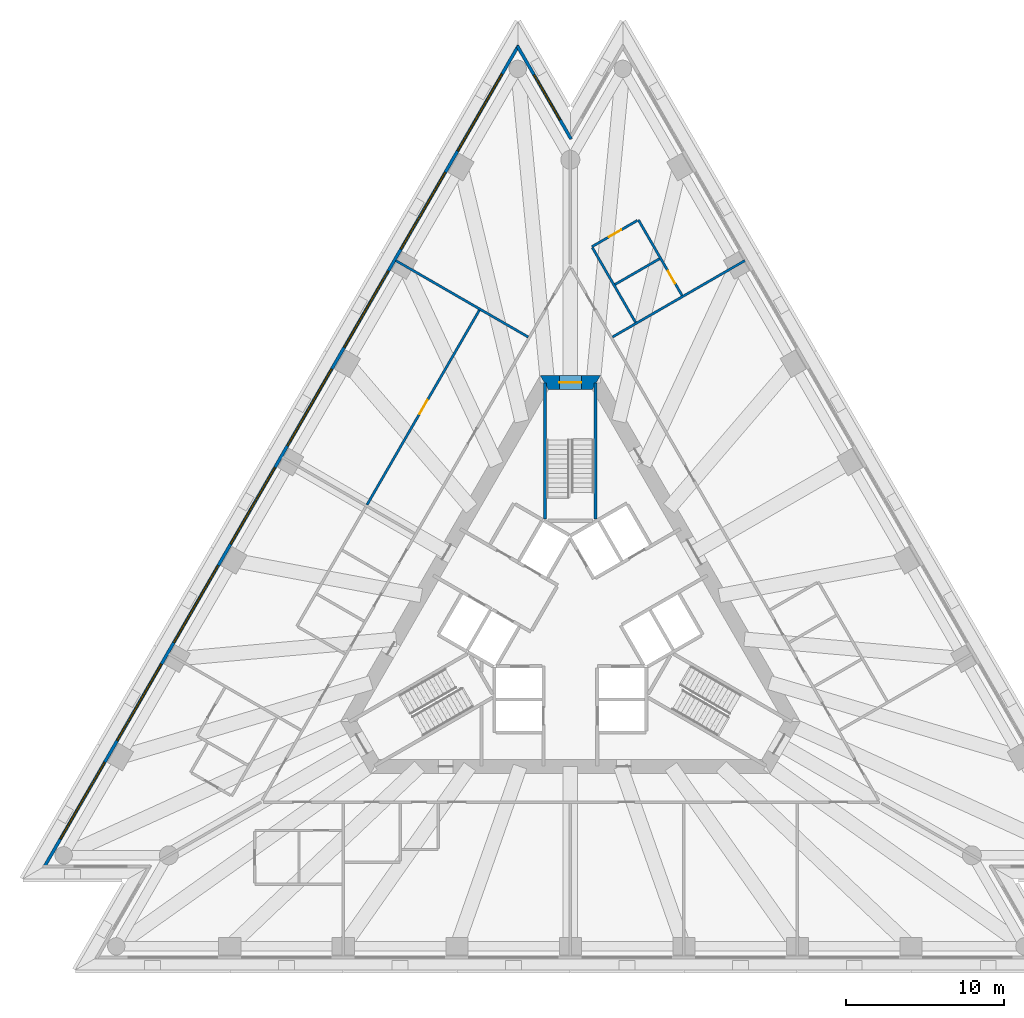
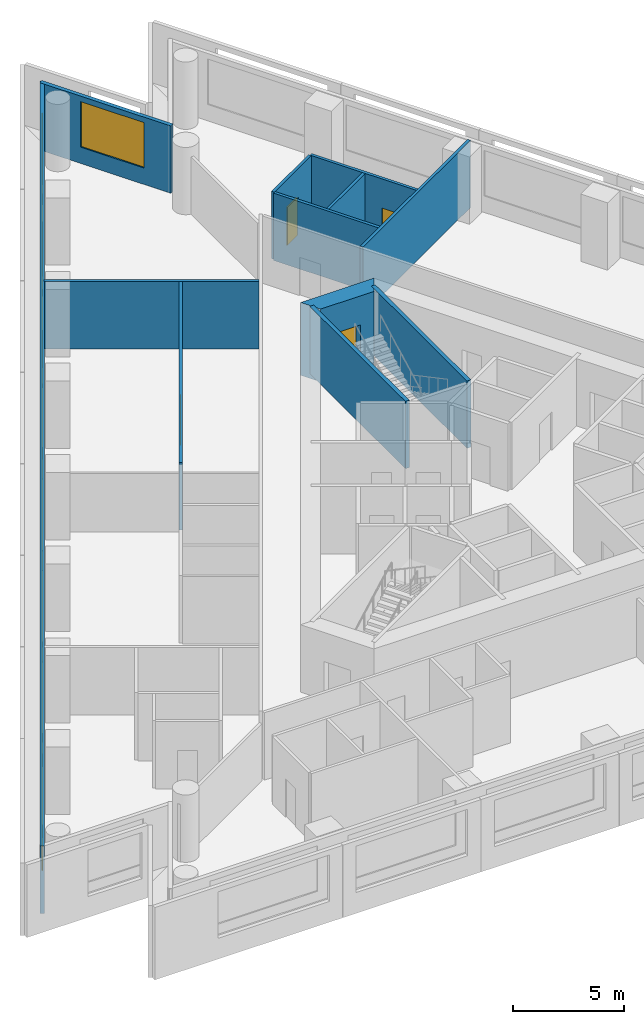
# One storey, part 7 of 11: 12 walls, 9 windows, 4 doors, 13 openings.
"""IFC4 building model written with IfcOpenShell, lengths in metres."""

import ifcopenshell
import ifcopenshell.guid

model = None  # the IFC model being written
_history = None  # IfcOwnerHistory: only IFC2X3 demands one
_inside = {}  # id of a spatial element -> (the spatial element, [elements in it])
_under = {}  # id of a project, library or spatial element -> (it, [spatial elements below it])
_declared = {}  # id of a project -> (the project, [libraries it declares])
_typed = {}  # id of a type object -> (the type object, [elements of that type])
_made_of = {}  # id of a material, layer set ... -> (it, [elements and type objects made of it])


def new_model(schema):
    """Start an empty IFC model of exactly this schema.

    Asked for "IFC4X3", IfcOpenShell would pick the latest addendum, in which some entities
    have other attributes; the version numbers below select the first issue.
    IFC2X3 requires an IfcOwnerHistory on every rooted entity: one is made here for all.
    """
    global model, _history
    if schema == "IFC4X3":
        model = ifcopenshell.file(schema_version=(4, 3, 0, 0))
    else:
        model = ifcopenshell.file(schema=schema)
    _inside.clear()
    _under.clear()
    _declared.clear()
    _typed.clear()
    _made_of.clear()
    _history = None
    if model.schema == "IFC2X3":
        org = make("IfcOrganization", Name="unknown")
        user = make(
            "IfcPersonAndOrganization",
            ThePerson=make("IfcPerson", FamilyName="unknown"),
            TheOrganization=org,
        )
        app = make(
            "IfcApplication",
            ApplicationDeveloper=org,
            Version="unknown",
            ApplicationFullName="unknown",
            ApplicationIdentifier="unknown",
        )
        _history = make(
            "IfcOwnerHistory",
            OwningUser=user,
            OwningApplication=app,
            ChangeAction="ADDED",
            CreationDate=0,
        )
    return model


def make(cls, **values):
    """One entity of the class cls with the attributes given. An attribute that is None is left unset."""
    return model.create_entity(
        cls, **{name: value for name, value in values.items() if value is not None}
    )


def rooted(cls, **values):
    """An entity with a GlobalId (a new one), such as an element, a storey or a relation."""
    return make(cls, GlobalId=ifcopenshell.guid.new(), OwnerHistory=_history, **values)


def si_unit(unit_type, name, prefix=None):
    """IfcSIUnit, for example si_unit("LENGTHUNIT", "METRE", prefix="MILLI")."""
    return make("IfcSIUnit", UnitType=unit_type, Prefix=prefix, Name=name)


def assignment(units):
    """IfcUnitAssignment: the units of a project."""
    return None if units is None else make("IfcUnitAssignment", Units=units)


def point(xyz):
    """IfcCartesianPoint."""
    return None if xyz is None else make("IfcCartesianPoint", Coordinates=xyz)


def direction(xyz):
    """IfcDirection."""
    return None if xyz is None else make("IfcDirection", DirectionRatios=xyz)


def frame(location, z_axis=None, x_axis=None):
    """IfcAxis2Placement3D, a coordinate frame: its origin and axes. An axis left out is left unset."""
    return make(
        "IfcAxis2Placement3D",
        Location=point(location),
        Axis=direction(z_axis),
        RefDirection=direction(x_axis),
    )


def frame_2d(location, x_axis=None):
    """IfcAxis2Placement2D, a coordinate frame in the plane: its origin and x axis."""
    return make(
        "IfcAxis2Placement2D", Location=point(location), RefDirection=direction(x_axis)
    )


def origin():
    """The frame at (0, 0, 0) with its axes left unset."""
    return frame((0.0, 0.0, 0.0))


def place(relative_to, where):
    """IfcLocalPlacement: puts the frame where relative to a parent placement (None: the world)."""
    return make(
        "IfcLocalPlacement", PlacementRelTo=relative_to, RelativePlacement=where
    )


def context(
    kind, dimensions, precision=None, world=None, true_north=None, identifier=None
):
    """IfcGeometricRepresentationContext, for example the 3D "Model" context."""
    return make(
        "IfcGeometricRepresentationContext",
        ContextIdentifier=identifier,
        ContextType=kind,
        CoordinateSpaceDimension=dimensions,
        Precision=precision,
        WorldCoordinateSystem=world,
        TrueNorth=true_north,
    )


def subcontext(parent, identifier, kind, view, scale=None):
    """IfcGeometricRepresentationSubContext, for example "Body" below "Model"."""
    return make(
        "IfcGeometricRepresentationSubContext",
        ContextIdentifier=identifier,
        ContextType=kind,
        ParentContext=parent,
        TargetScale=scale,
        TargetView=view,
    )


def project(units=None, contexts=None):
    """IfcProject with its units and contexts."""
    return rooted(
        "IfcProject",
        Name="project",
        RepresentationContexts=contexts,
        UnitsInContext=assignment(units),
    )


def spatial(cls, under=None, at=None, **own):
    """A site, building, storey or space (cls), placed at a placement, below another one or the project."""
    s = rooted(cls, ObjectPlacement=at, **own)
    if under is not None:
        _under.setdefault(under.id(), (under, []))[1].append(s)
    return s


def polyline(points):
    """IfcPolyline through the points."""
    return make("IfcPolyline", Points=[point(p) for p in points])


def profile(cls, at=None, kind="AREA", **sizes):
    """A parametric profile (cls). Its sizes go by their IFC names, for example OverallWidth=200.0."""
    return make(cls, ProfileType=kind, Position=at, **sizes)


def rectangle(**sizes):
    """IfcRectangleProfileDef."""
    return profile("IfcRectangleProfileDef", **sizes)


def outline(outer, holes=None, kind="AREA"):
    """IfcArbitraryClosedProfileDef: a profile drawn as a closed curve; with holes, ...WithVoids."""
    if holes is None:
        return make("IfcArbitraryClosedProfileDef", ProfileType=kind, OuterCurve=outer)
    return make(
        "IfcArbitraryProfileDefWithVoids",
        ProfileType=kind,
        OuterCurve=outer,
        InnerCurves=holes,
    )


def extrude(swept, where, along, depth):
    """IfcExtrudedAreaSolid: the profile swept, set in the frame where, extruded along a direction by depth."""
    return make(
        "IfcExtrudedAreaSolid",
        SweptArea=swept,
        Position=where,
        ExtrudedDirection=direction(along),
        Depth=depth,
    )


def shape(context_of_items, identifier, shape_type, items):
    """IfcShapeRepresentation: the items that make up one representation, for example the "Body"."""
    return make(
        "IfcShapeRepresentation",
        ContextOfItems=context_of_items,
        RepresentationIdentifier=identifier,
        RepresentationType=shape_type,
        Items=items,
    )


def material(Name=None, Category=None):
    """IfcMaterial."""
    return make("IfcMaterial", Name=Name, Category=Category)


def layer(
    of_material, thickness, ventilated=None, Name=None, Category=None, Priority=None
):
    """IfcMaterialLayer: one layer of a wall or slab, of a material (None: an air gap)."""
    return make(
        "IfcMaterialLayer",
        Material=of_material,
        LayerThickness=thickness,
        IsVentilated=ventilated,
        Name=Name,
        Category=Category,
        Priority=Priority,
    )


def layer_set(layers, Name=None):
    """IfcMaterialLayerSet."""
    return make("IfcMaterialLayerSet", MaterialLayers=layers, LayerSetName=Name)


def layer_usage(for_layer_set, set_direction, sense, offset, extent=None):
    """IfcMaterialLayerSetUsage: how a layer set lies in its element."""
    return make(
        "IfcMaterialLayerSetUsage",
        ForLayerSet=for_layer_set,
        LayerSetDirection=set_direction,
        DirectionSense=sense,
        OffsetFromReferenceLine=offset,
        ReferenceExtent=extent,
    )


def made_of(thing, what):
    """Note that an element or type object is made of a material, layer set ...; save() writes the relation."""
    if what is not None:
        _made_of.setdefault(what.id(), (what, []))[1].append(thing)
    return thing


def type_object(cls, material=None, **own):
    """A type object (cls), such as IfcWallType, which elements share."""
    return made_of(rooted(cls, **own), material)


def element(
    cls,
    number,
    at=None,
    inside=None,
    cuts=None,
    type_object=None,
    material=None,
    context=None,
    identifier="Body",
    shape_type=None,
    held_by="IfcProductDefinitionShape",
    body=None,
    shapes=None,
    **own,
):
    """One element of the class cls, such as IfcWall. Its Tag is "e" and its number.

    at: its placement. inside: the storey or other place that contains it. cuts: it is an
    opening in that element (IfcRelVoidsElement). A single representation is given by context,
    identifier, shape_type and body (its items); several are given by shapes. held_by: the class
    of the entity that holds the representations. save() writes the other relations.
    """
    e = rooted(cls, Tag="e%d" % number, ObjectPlacement=at, **own)
    if body is not None:
        shapes = [shape(context, identifier, shape_type, body)]
    if shapes is not None:
        e.Representation = make(held_by, Representations=shapes)
    if inside is not None:
        _inside.setdefault(inside.id(), (inside, []))[1].append(e)
    if cuts is not None:
        rooted(
            "IfcRelVoidsElement", RelatingBuildingElement=cuts, RelatedOpeningElement=e
        )
    if type_object is not None:
        _typed.setdefault(type_object.id(), (type_object, []))[1].append(e)
    return made_of(e, material)


def fill(opening, filler):
    """IfcRelFillsElement: the door or window that sits in an opening."""
    return rooted(
        "IfcRelFillsElement",
        RelatingOpeningElement=opening,
        RelatedBuildingElement=filler,
    )


def aggregate(whole, parts):
    """IfcRelAggregates: a whole, such as a stair, and the parts it consists of."""
    return rooted("IfcRelAggregates", RelatingObject=whole, RelatedObjects=parts)


def save(model, path):
    """Write the relations noted so far, then the file.

    IfcRelAggregates (storeys below a building ...), IfcRelContainedInSpatialStructure (elements
    in a storey), IfcRelDefinesByType, IfcRelAssociatesMaterial and IfcRelDeclares: one each for
    every whole, place, type object, material and project.
    """
    for whole, parts in _under.values():
        aggregate(whole, parts)
    for where, things in _inside.values():
        rooted(
            "IfcRelContainedInSpatialStructure",
            RelatedElements=things,
            RelatingStructure=where,
        )
    for kind, things in _typed.values():
        rooted("IfcRelDefinesByType", RelatedObjects=things, RelatingType=kind)
    for what, things in _made_of.values():
        rooted("IfcRelAssociatesMaterial", RelatedObjects=things, RelatingMaterial=what)
    for by, libraries in _declared.values():
        rooted("IfcRelDeclares", RelatingContext=by, RelatedDefinitions=libraries)
    model.write(path)


model = new_model("IFC4")

# Units and contexts
model_context = context("Model", 3, precision=1e-05, world=origin(), true_north=direction((0.0, 1.0)))
body_context = subcontext(model_context, "Body", "Model", "MODEL_VIEW")
ifc_project = project(units=[si_unit("LENGTHUNIT", "METRE"), si_unit("AREAUNIT", "SQUARE_METRE"), si_unit("VOLUMEUNIT", "CUBIC_METRE"), si_unit("PLANEANGLEUNIT", "RADIAN"), si_unit("MASSUNIT", "GRAM", prefix="KILO")], contexts=[model_context])

# Site, building, storey
site_placement = place(None, origin())
site = spatial("IfcSite", under=ifc_project, at=site_placement, CompositionType="ELEMENT")
building_placement = place(site_placement, origin())
building = spatial("IfcBuilding", under=site, at=building_placement, Name="Triada Interchange Tower", CompositionType="ELEMENT")
storey_placement = place(building_placement, frame((0.0, 0.0, 87.300048828125)))
storey = spatial("IfcBuildingStorey", under=building, at=storey_placement, Name="L19", CompositionType="ELEMENT", Elevation=87.300048828125)

# Walls
ifc_material_1 = material(Name="Concrete C30/37", Category="concrete")
ifc_layer_1 = layer(ifc_material_1, 0.199951171875)
ifc_layer_set_1 = layer_set([ifc_layer_1], Name="CORE WALL 200 REI 240")
wall_type_1 = type_object("IfcWallType", Name="CORE WALL 200 REI 240", PredefinedType="SOLIDWALL", material=ifc_layer_set_1)
for number, where, z_axis, x_axis, name in (
    (1, (1.60009765625, 6.614990234375, 0.0), (0.0, 0.0, 1.0), (0.0, 1.0, 0.0), "Wall L18 84"),
    (2, (-1.60009765625, 6.614990234375, 0.0), (0.0, 0.0, 1.0), (0.0, 1.0, 0.0), "Wall L18 86"),
):
    element("IfcWall", number, at=place(storey_placement, frame(where, z_axis=z_axis, x_axis=x_axis)), inside=storey, type_object=wall_type_1, Name=name, PredefinedType="SOLIDWALL", context=body_context, shape_type="SweptSolid", body=[
        extrude(rectangle(XDim=8.614990234375, YDim=0.199951171875, at=frame_2d((4.3076171875, 0.0))), origin(), (0.0, 0.0, 1.0), 3.699951171875),
    ])

# Wall, opening, door
ifc_material_2 = material(Name="Concrete C70/85", Category="concrete")
ifc_layer_2 = layer(ifc_material_2, 0.89990234375)
ifc_layer_set_2 = layer_set([ifc_layer_2], Name="Core wall A 900")
wall_type_2 = type_object("IfcWallType", Name="Core wall A 900", PredefinedType="SHEAR", material=ifc_layer_set_2)
wall_1_placement = place(storey_placement, frame((1.64501953125, 15.25, -0.300048828125), z_axis=(0.0, 0.0, 1.0), x_axis=(-1.0, 0.0, 0.0)))
wall_1 = element("IfcWall", 3, at=wall_1_placement, inside=storey, type_object=wall_type_2, Name="Core wall WA01 L19", PredefinedType="SHEAR", context=body_context, shape_type="SweptSolid", body=[
    extrude(outline(polyline([(-0.260009765625, -0.449951171875), (1.64501953125, -0.449951171875), (3.550048828125, -0.449951171875), (3.031005859375, 0.449951171875), (1.64501953125, 0.449951171875), (0.259033203125, 0.449951171875), (-0.260009765625, -0.449951171875)])), origin(), (0.0, 0.0, 1.0), 4.0),
])
opening_1_placement = place(wall_1_placement, frame((0.945068359375, 0.0, 0.300048828125)))
opening_1 = element("IfcOpeningElement", 4, at=opening_1_placement, cuts=wall_1, Name="Opening D18-39", PredefinedType="OPENING", context=body_context, shape_type="SweptSolid", body=[
    extrude(rectangle(XDim=1.39990234375, YDim=2.10009765625, at=frame_2d((0.699951171875, 1.050048828125))), frame((0.0, 0.4599609375, 0.0), z_axis=(0.0, -1.0, 0.0), x_axis=(1.0, 0.0, 0.0)), (0.0, 0.0, 1.0), 0.919921875),
])
ifc_material_3 = material(Name="Steel S235 door leaf", Category="steel")
door_type_1 = type_object("IfcDoorType", Name="STAIR DOOR 1400 EI2 90-C5S200", OperationType="DOUBLE_DOOR_SINGLE_SWING", PredefinedType="DOOR", material=ifc_material_3)
door_1_placement = place(opening_1_placement, origin())
door_1 = element("IfcDoor", 5, at=door_1_placement, inside=storey, type_object=door_type_1, Name="Door D18-39 L19", OperationType="DOUBLE_DOOR_SINGLE_SWING", OverallHeight=2.10009765625, OverallWidth=1.39990234375, PredefinedType="DOOR", context=body_context, shape_type="SweptSolid", body=[
    extrude(rectangle(XDim=1.39990234375, YDim=2.10009765625, at=frame_2d((0.699951171875, 1.050048828125))), frame((0.0, 0.02490234375, 0.0), z_axis=(0.0, -1.0, 0.0), x_axis=(1.0, 0.0, 0.0)), (0.0, 0.0, 1.0), 0.050048828125),
])
fill(opening_1, door_1)

# Wall, openings, windows
ifc_material_4 = material(Name="Cement board")
ifc_layer_3 = layer(ifc_material_4, 0.02001953125, Name="Cement board cladding")
ifc_material_5 = material(Name="Sheathing board")
ifc_layer_4 = layer(ifc_material_5, 0.014892578125, Name="Sheathing board")
ifc_material_6 = material(Name="Mineral wool")
ifc_layer_5 = layer(ifc_material_6, 0.14990234375, Name="Mineral wool between steel studs")
ifc_material_7 = material(Name="Gypsum board")
ifc_layer_6 = layer(ifc_material_7, 0.014892578125, Name="Plasterboard lining")
ifc_layer_set_3 = layer_set([ifc_layer_3, ifc_layer_4, ifc_layer_5, ifc_layer_6], Name="External wall 200")
ifc_layer_usage = layer_usage(ifc_layer_set_3, "AXIS2", "POSITIVE", -0.10009765625)
wall_type_3 = type_object("IfcWallType", Name="External wall 200", PredefinedType="ELEMENTEDWALL", material=ifc_layer_set_3)
wall_2_placement = place(storey_placement, frame((-3.280029296875, 36.576904296875, 0.0), z_axis=(0.0, 0.0, 1.0), x_axis=(-0.500001635065, -0.866024459777, 0.0)))
wall_2 = element("IfcWall", 6, at=wall_2_placement, inside=storey, type_object=wall_type_3, material=ifc_layer_usage, Name="External wall L19 NW", PredefinedType="ELEMENTEDWALL", context=body_context, shape_type="SweptSolid", body=[
    extrude(rectangle(XDim=60.053466796875, YDim=0.199951171875, at=frame_2d((30.02685546875, 0.0))), origin(), (0.0, 0.0, 1.0), 3.699951171875),
])
opening_2_placement = place(wall_2_placement, frame((2.093994140625, 0.0, 0.89990234375)))
opening_2 = element("IfcOpeningElement", 7, at=opening_2_placement, cuts=wall_2, Name="Opening WA01", PredefinedType="OPENING", context=body_context, shape_type="SweptSolid", body=[
    extrude(rectangle(XDim=5.60009765625, YDim=2.5, at=frame_2d((2.800048828125, 1.25))), frame((0.0, 0.10986328125, 0.0), z_axis=(0.0, -1.0, 0.0), x_axis=(1.0, 0.0, 0.0)), (0.0, 0.0, 1.0), 0.219970703125),
])
opening_3_placement = place(wall_2_placement, frame((9.278076171875, 0.0, 0.89990234375)))
opening_3 = element("IfcOpeningElement", 8, at=opening_3_placement, cuts=wall_2, Name="Opening WA02", PredefinedType="OPENING", context=body_context, shape_type="SweptSolid", body=[
    extrude(rectangle(XDim=5.60009765625, YDim=2.5, at=frame_2d((2.800048828125, 1.25))), frame((0.0, 0.10986328125, 0.0), z_axis=(0.0, -1.0, 0.0), x_axis=(1.0, 0.0, 0.0)), (0.0, 0.0, 1.0), 0.219970703125),
])
opening_4_placement = place(wall_2_placement, frame((16.4609375, 0.0, 0.89990234375)))
opening_4 = element("IfcOpeningElement", 9, at=opening_4_placement, cuts=wall_2, Name="Opening WA03", PredefinedType="OPENING", context=body_context, shape_type="SweptSolid", body=[
    extrude(rectangle(XDim=5.60009765625, YDim=2.5, at=frame_2d((2.800048828125, 1.25))), frame((0.0, 0.10986328125, 0.0), z_axis=(0.0, -1.0, 0.0), x_axis=(1.0, 0.0, 0.0)), (0.0, 0.0, 1.0), 0.219970703125),
])
opening_5_placement = place(wall_2_placement, frame((23.64501953125, 0.0, 0.89990234375)))
opening_5 = element("IfcOpeningElement", 10, at=opening_5_placement, cuts=wall_2, Name="Opening WA04", PredefinedType="OPENING", context=body_context, shape_type="SweptSolid", body=[
    extrude(rectangle(XDim=5.60009765625, YDim=2.5, at=frame_2d((2.800048828125, 1.25))), frame((0.0, 0.10986328125, 0.0), z_axis=(0.0, -1.0, 0.0), x_axis=(1.0, 0.0, 0.0)), (0.0, 0.0, 1.0), 0.219970703125),
])
opening_6_placement = place(wall_2_placement, frame((30.827880859375, 0.0, 0.89990234375)))
opening_6 = element("IfcOpeningElement", 11, at=opening_6_placement, cuts=wall_2, Name="Opening WA05", PredefinedType="OPENING", context=body_context, shape_type="SweptSolid", body=[
    extrude(rectangle(XDim=5.60009765625, YDim=2.5, at=frame_2d((2.800048828125, 1.25))), frame((0.0, 0.10986328125, 0.0), z_axis=(0.0, -1.0, 0.0), x_axis=(1.0, 0.0, 0.0)), (0.0, 0.0, 1.0), 0.219970703125),
])
opening_7_placement = place(wall_2_placement, frame((38.011962890625, 0.0, 0.89990234375)))
opening_7 = element("IfcOpeningElement", 12, at=opening_7_placement, cuts=wall_2, Name="Opening WA06", PredefinedType="OPENING", context=body_context, shape_type="SweptSolid", body=[
    extrude(rectangle(XDim=5.60009765625, YDim=2.5, at=frame_2d((2.800048828125, 1.25))), frame((0.0, 0.10986328125, 0.0), z_axis=(0.0, -1.0, 0.0), x_axis=(1.0, 0.0, 0.0)), (0.0, 0.0, 1.0), 0.219970703125),
])
opening_8_placement = place(wall_2_placement, frame((45.195068359375, 0.0, 0.89990234375)))
opening_8 = element("IfcOpeningElement", 13, at=opening_8_placement, cuts=wall_2, Name="Opening WA07", PredefinedType="OPENING", context=body_context, shape_type="SweptSolid", body=[
    extrude(rectangle(XDim=5.60009765625, YDim=2.5, at=frame_2d((2.800048828125, 1.25))), frame((0.0, 0.10986328125, 0.0), z_axis=(0.0, -1.0, 0.0), x_axis=(1.0, 0.0, 0.0)), (0.0, 0.0, 1.0), 0.219970703125),
])
opening_9_placement = place(wall_2_placement, frame((52.37890625, 0.0, 0.89990234375)))
opening_9 = element("IfcOpeningElement", 14, at=opening_9_placement, cuts=wall_2, Name="Opening WA08", PredefinedType="OPENING", context=body_context, shape_type="SweptSolid", body=[
    extrude(rectangle(XDim=5.60009765625, YDim=2.5, at=frame_2d((2.800048828125, 1.25))), frame((0.0, 0.10986328125, 0.0), z_axis=(0.0, -1.0, 0.0), x_axis=(1.0, 0.0, 0.0)), (0.0, 0.0, 1.0), 0.219970703125),
])
ifc_material_8 = material(Name="Double glazed aluminium window", Category="aluminium")
window_type_1 = type_object("IfcWindowType", Name="Ribbon window A face", PartitioningType="SINGLE_PANEL", PredefinedType="WINDOW", material=ifc_material_8)
window_1_placement = place(opening_2_placement, origin())
window_1 = element("IfcWindow", 15, at=window_1_placement, inside=storey, type_object=window_type_1, Name="Window L19 NW 1", OverallHeight=2.5, OverallWidth=5.60009765625, PartitioningType="SINGLE_PANEL", PredefinedType="WINDOW", context=body_context, shape_type="SweptSolid", body=[
    extrude(rectangle(XDim=5.60009765625, YDim=2.5, at=frame_2d((2.800048828125, 1.25))), frame((0.0, 0.030029296875, 0.0), z_axis=(0.0, -1.0, 0.0), x_axis=(1.0, 0.0, 0.0)), (0.0, 0.0, 1.0), 0.06005859375),
])
fill(opening_2, window_1)
window_2_placement = place(opening_3_placement, origin())
window_2 = element("IfcWindow", 16, at=window_2_placement, inside=storey, type_object=window_type_1, Name="Window L19 NW 2", OverallHeight=2.5, OverallWidth=5.60009765625, PartitioningType="SINGLE_PANEL", PredefinedType="WINDOW", context=body_context, shape_type="SweptSolid", body=[
    extrude(rectangle(XDim=5.60009765625, YDim=2.5, at=frame_2d((2.800048828125, 1.25))), frame((0.0, 0.030029296875, 0.0), z_axis=(0.0, -1.0, 0.0), x_axis=(1.0, 0.0, 0.0)), (0.0, 0.0, 1.0), 0.06005859375),
])
fill(opening_3, window_2)
window_3_placement = place(opening_4_placement, origin())
window_3 = element("IfcWindow", 17, at=window_3_placement, inside=storey, type_object=window_type_1, Name="Window L19 NW 3", OverallHeight=2.5, OverallWidth=5.60009765625, PartitioningType="SINGLE_PANEL", PredefinedType="WINDOW", context=body_context, shape_type="SweptSolid", body=[
    extrude(rectangle(XDim=5.60009765625, YDim=2.5, at=frame_2d((2.800048828125, 1.25))), frame((0.0, 0.030029296875, 0.0), z_axis=(0.0, -1.0, 0.0), x_axis=(1.0, 0.0, 0.0)), (0.0, 0.0, 1.0), 0.06005859375),
])
fill(opening_4, window_3)
window_4_placement = place(opening_5_placement, origin())
window_4 = element("IfcWindow", 18, at=window_4_placement, inside=storey, type_object=window_type_1, Name="Window L19 NW 4", OverallHeight=2.5, OverallWidth=5.60009765625, PartitioningType="SINGLE_PANEL", PredefinedType="WINDOW", context=body_context, shape_type="SweptSolid", body=[
    extrude(rectangle(XDim=5.60009765625, YDim=2.5, at=frame_2d((2.800048828125, 1.25))), frame((0.0, 0.030029296875, 0.0), z_axis=(0.0, -1.0, 0.0), x_axis=(1.0, 0.0, 0.0)), (0.0, 0.0, 1.0), 0.06005859375),
])
fill(opening_5, window_4)
window_5_placement = place(opening_6_placement, origin())
window_5 = element("IfcWindow", 19, at=window_5_placement, inside=storey, type_object=window_type_1, Name="Window L19 NW 5", OverallHeight=2.5, OverallWidth=5.60009765625, PartitioningType="SINGLE_PANEL", PredefinedType="WINDOW", context=body_context, shape_type="SweptSolid", body=[
    extrude(rectangle(XDim=5.60009765625, YDim=2.5, at=frame_2d((2.800048828125, 1.25))), frame((0.0, 0.030029296875, 0.0), z_axis=(0.0, -1.0, 0.0), x_axis=(1.0, 0.0, 0.0)), (0.0, 0.0, 1.0), 0.06005859375),
])
fill(opening_6, window_5)
window_6_placement = place(opening_7_placement, origin())
window_6 = element("IfcWindow", 20, at=window_6_placement, inside=storey, type_object=window_type_1, Name="Window L19 NW 6", OverallHeight=2.5, OverallWidth=5.60009765625, PartitioningType="SINGLE_PANEL", PredefinedType="WINDOW", context=body_context, shape_type="SweptSolid", body=[
    extrude(rectangle(XDim=5.60009765625, YDim=2.5, at=frame_2d((2.800048828125, 1.25))), frame((0.0, 0.030029296875, 0.0), z_axis=(0.0, -1.0, 0.0), x_axis=(1.0, 0.0, 0.0)), (0.0, 0.0, 1.0), 0.06005859375),
])
fill(opening_7, window_6)
window_7_placement = place(opening_8_placement, origin())
window_7 = element("IfcWindow", 21, at=window_7_placement, inside=storey, type_object=window_type_1, Name="Window L19 NW 7", OverallHeight=2.5, OverallWidth=5.60009765625, PartitioningType="SINGLE_PANEL", PredefinedType="WINDOW", context=body_context, shape_type="SweptSolid", body=[
    extrude(rectangle(XDim=5.60009765625, YDim=2.5, at=frame_2d((2.800048828125, 1.25))), frame((0.0, 0.030029296875, 0.0), z_axis=(0.0, -1.0, 0.0), x_axis=(1.0, 0.0, 0.0)), (0.0, 0.0, 1.0), 0.06005859375),
])
fill(opening_8, window_7)
window_8_placement = place(opening_9_placement, origin())
window_8 = element("IfcWindow", 22, at=window_8_placement, inside=storey, type_object=window_type_1, Name="Window L19 NW 8", OverallHeight=2.5, OverallWidth=5.60009765625, PartitioningType="SINGLE_PANEL", PredefinedType="WINDOW", context=body_context, shape_type="SweptSolid", body=[
    extrude(rectangle(XDim=5.60009765625, YDim=2.5, at=frame_2d((2.800048828125, 1.25))), frame((0.0, 0.030029296875, 0.0), z_axis=(0.0, -1.0, 0.0), x_axis=(1.0, 0.0, 0.0)), (0.0, 0.0, 1.0), 0.06005859375),
])
fill(opening_9, window_8)

# Wall, opening, window
wall_3_placement = place(storey_placement, frame((0.044921875, 30.662109375, 0.0), z_axis=(0.0, 0.0, 1.0), x_axis=(-0.499983120418, 0.866035148996, 0.0)))
wall_3 = element("IfcWall", 23, at=wall_3_placement, inside=storey, type_object=wall_type_3, material=ifc_layer_usage, Name="External wall L19 N-2", PredefinedType="ELEMENTEDWALL", context=body_context, shape_type="SweptSolid", body=[
    extrude(rectangle(XDim=6.810302734375, YDim=0.199951171875, at=frame_2d((3.4052734375, 0.0))), origin(), (0.0, 0.0, 1.0), 3.699951171875),
])
opening_10_placement = place(wall_3_placement, frame((1.389892578125, 0.0, 0.89990234375)))
opening_10 = element("IfcOpeningElement", 24, at=opening_10_placement, cuts=wall_3, Name="Opening WA30", PredefinedType="OPENING", context=body_context, shape_type="SweptSolid", body=[
    extrude(rectangle(XDim=3.300048828125, YDim=2.5, at=frame_2d((1.64990234375, 1.25))), frame((0.0, 0.10986328125, 0.0), z_axis=(0.0, -1.0, 0.0), x_axis=(1.0, 0.0, 0.0)), (0.0, 0.0, 1.0), 0.219970703125),
])
window_type_2 = type_object("IfcWindowType", Name="Ribbon window A pocket", PartitioningType="SINGLE_PANEL", PredefinedType="WINDOW", material=ifc_material_8)
window_9_placement = place(opening_10_placement, origin())
window_9 = element("IfcWindow", 25, at=window_9_placement, inside=storey, type_object=window_type_2, Name="Window L19 N-2 1", OverallHeight=2.5, OverallWidth=3.300048828125, PartitioningType="SINGLE_PANEL", PredefinedType="WINDOW", context=body_context, shape_type="SweptSolid", body=[
    extrude(rectangle(XDim=3.300048828125, YDim=2.5, at=frame_2d((1.64990234375, 1.25))), frame((0.0, 0.030029296875, 0.0), z_axis=(0.0, -1.0, 0.0), x_axis=(1.0, 0.0, 0.0)), (0.0, 0.0, 1.0), 0.06005859375),
])
fill(opening_10, window_9)

# Walls
ifc_material_9 = material(Name="Gypsum board partition")
ifc_layer_7 = layer(ifc_material_9, 0.14990234375)
ifc_layer_set_4 = layer_set([ifc_layer_7], Name="PARTITION 150 EI 180")
wall_type_4 = type_object("IfcWallType", Name="PARTITION 150 EI 180", PredefinedType="PARTITIONING", material=ifc_layer_set_4)
for number, where, z_axis, x_axis, name in (
    (26, (-11.044921875, 22.967041015625, 0.0), (0.0, 0.0, 1.0), (0.866018320735, -0.500012268001, 0.0), "Wall L18 14"),
    (27, (2.6669921875, 18.1298828125, 0.0), (0.0, 0.0, 1.0), (0.866018320735, 0.500012268001, 0.0), "Wall L18 20"),
):
    element("IfcWall", number, at=place(storey_placement, frame(where, z_axis=z_axis, x_axis=x_axis)), inside=storey, type_object=wall_type_4, Name=name, PredefinedType="PARTITIONING", context=body_context, shape_type="SweptSolid", body=[
        extrude(rectangle(XDim=9.674072265625, YDim=0.14990234375, at=frame_2d((4.8369140625, 0.0))), origin(), (0.0, 0.0, 1.0), 3.699951171875),
    ])

# Wall, opening, door
ifc_layer_8 = layer(ifc_material_9, 0.14990234375)
ifc_layer_set_5 = layer_set([ifc_layer_8], Name="PARTITION 150 EI 90")
wall_type_5 = type_object("IfcWallType", Name="PARTITION 150 EI 90", PredefinedType="PARTITIONING", material=ifc_layer_set_5)
wall_4_placement = place(storey_placement, frame((-12.865966796875, 7.514892578125, 0.0), z_axis=(0.0, 0.0, 1.0), x_axis=(0.499947407797, 0.866055765778, 0.0)))
wall_4 = element("IfcWall", 28, at=wall_4_placement, inside=storey, type_object=wall_type_5, Name="Wall L18 37", PredefinedType="PARTITIONING", context=body_context, shape_type="SweptSolid", body=[
    extrude(rectangle(XDim=14.21728515625, YDim=0.14990234375, at=frame_2d((7.108642578125, 0.0))), origin(), (0.0, 0.0, 1.0), 3.699951171875),
])
opening_11_placement = place(wall_4_placement, frame((6.64208984375, 0.0, 0.0)))
opening_11 = element("IfcOpeningElement", 29, at=opening_11_placement, cuts=wall_4, Name="Opening D18-30", PredefinedType="OPENING", context=body_context, shape_type="SweptSolid", body=[
    extrude(rectangle(XDim=1.0, YDim=2.10009765625, at=frame_2d((0.5, 1.050048828125))), frame((0.0, 0.0849609375, 0.0), z_axis=(0.0, -1.0, 0.0), x_axis=(1.0, 0.0, 0.0)), (0.0, 0.0, 1.0), 0.169921875),
])
door_type_2 = type_object("IfcDoorType", Name="ROOM DOOR 1000 EI2 45-C5S200", OperationType="NOTDEFINED", PredefinedType="DOOR", material=ifc_material_3)
door_2_placement = place(opening_11_placement, origin())
door_2 = element("IfcDoor", 30, at=door_2_placement, inside=storey, type_object=door_type_2, Name="Door D18-30 L19", OperationType="SINGLE_SWING_LEFT", OverallHeight=2.10009765625, OverallWidth=1.0, PredefinedType="DOOR", context=body_context, shape_type="SweptSolid", body=[
    extrude(rectangle(XDim=1.0, YDim=2.10009765625, at=frame_2d((0.5, 1.050048828125))), frame((0.0, 0.02490234375, 0.0), z_axis=(0.0, -1.0, 0.0), x_axis=(1.0, 0.0, 0.0)), (0.0, 0.0, 1.0), 0.050048828125),
])
fill(opening_11, door_2)

# Wall
wall_5_placement = place(storey_placement, frame((2.825927734375, 21.455078125, 0.0), z_axis=(0.0, 0.0, 1.0), x_axis=(0.866071776036, 0.499919672301, 0.0)))
element("IfcWall", 31, at=wall_5_placement, inside=storey, type_object=wall_type_5, Name="Wall L18 38", PredefinedType="PARTITIONING", context=body_context, shape_type="SweptSolid", body=[
    extrude(rectangle(XDim=3.25048828125, YDim=0.14990234375, at=frame_2d((1.625244140625, 0.0))), origin(), (0.0, 0.0, 1.0), 3.699951171875),
])

# Wall, opening, door
wall_6_placement = place(storey_placement, frame((4.305908203125, 25.5419921875, 0.0), z_axis=(0.0, 0.0, 1.0), x_axis=(0.500027228848, -0.866009682631, 0.0)))
wall_6 = element("IfcWall", 32, at=wall_6_placement, inside=storey, type_object=wall_type_5, Name="Wall L18 39", PredefinedType="PARTITIONING", context=body_context, shape_type="SweptSolid", body=[
    extrude(rectangle(XDim=5.524169921875, YDim=0.14990234375, at=frame_2d((2.76220703125, 0.0))), origin(), (0.0, 0.0, 1.0), 3.699951171875),
])
opening_12_placement = place(wall_6_placement, frame((3.7490234375, 0.0, 0.0)))
opening_12 = element("IfcOpeningElement", 33, at=opening_12_placement, cuts=wall_6, Name="Opening D18-26", PredefinedType="OPENING", context=body_context, shape_type="SweptSolid", body=[
    extrude(rectangle(XDim=0.89990234375, YDim=2.10009765625, at=frame_2d((0.449951171875, 1.050048828125))), frame((0.0, 0.0849609375, 0.0), z_axis=(0.0, -1.0, 0.0), x_axis=(1.0, 0.0, 0.0)), (0.0, 0.0, 1.0), 0.169921875),
])
door_type_3 = type_object("IfcDoorType", Name="ROOM DOOR 900 EI2 45-C5S200", OperationType="NOTDEFINED", PredefinedType="DOOR", material=ifc_material_3)
door_3_placement = place(opening_12_placement, origin())
door_3 = element("IfcDoor", 34, at=door_3_placement, inside=storey, type_object=door_type_3, Name="Door D18-26 L19", OperationType="SINGLE_SWING_LEFT", OverallHeight=2.10009765625, OverallWidth=0.89990234375, PredefinedType="DOOR", context=body_context, shape_type="SweptSolid", body=[
    extrude(rectangle(XDim=0.89990234375, YDim=2.10009765625, at=frame_2d((0.449951171875, 1.050048828125))), frame((0.0, 0.02490234375, 0.0), z_axis=(0.0, -1.0, 0.0), x_axis=(1.0, 0.0, 0.0)), (0.0, 0.0, 1.0), 0.050048828125),
])
fill(opening_12, door_3)

wall_7_placement = place(storey_placement, frame((1.361083984375, 23.842041015625, 0.0), z_axis=(0.0, 0.0, 1.0), x_axis=(0.866007085157, 0.500031727451, 0.0)))
wall_7 = element("IfcWall", 35, at=wall_7_placement, inside=storey, type_object=wall_type_5, Name="Wall L18 40", PredefinedType="PARTITIONING", context=body_context, shape_type="SweptSolid", body=[
    extrude(rectangle(XDim=3.325439453125, YDim=0.14990234375, at=frame_2d((1.66259765625, 0.0))), origin(), (0.0, 0.0, 1.0), 3.699951171875),
])
opening_13_placement = place(wall_7_placement, frame((1.25, 0.0, 0.0)))
opening_13 = element("IfcOpeningElement", 36, at=opening_13_placement, cuts=wall_7, Name="Opening D18-27", PredefinedType="OPENING", context=body_context, shape_type="SweptSolid", body=[
    extrude(rectangle(XDim=0.89990234375, YDim=2.10009765625, at=frame_2d((0.449951171875, 1.050048828125))), frame((0.0, 0.0849609375, 0.0), z_axis=(0.0, -1.0, 0.0), x_axis=(1.0, 0.0, 0.0)), (0.0, 0.0, 1.0), 0.169921875),
])
door_4_placement = place(opening_13_placement, origin())
door_4 = element("IfcDoor", 37, at=door_4_placement, inside=storey, type_object=door_type_3, Name="Door D18-27 L19", OperationType="SINGLE_SWING_RIGHT", OverallHeight=2.10009765625, OverallWidth=0.89990234375, PredefinedType="DOOR", context=body_context, shape_type="SweptSolid", body=[
    extrude(rectangle(XDim=0.89990234375, YDim=2.10009765625, at=frame_2d((0.449951171875, 1.050048828125))), frame((0.0, 0.02490234375, 0.0), z_axis=(0.0, -1.0, 0.0), x_axis=(1.0, 0.0, 0.0)), (0.0, 0.0, 1.0), 0.050048828125),
])
fill(opening_13, door_4)

# Wall
wall_8_placement = place(storey_placement, frame((1.39892578125, 23.777099609375, 0.0), z_axis=(0.0, 0.0, 1.0), x_axis=(0.500080528864, -0.865978905431, 0.0)))
element("IfcWall", 38, at=wall_8_placement, inside=storey, type_object=wall_type_5, Name="Wall L18 41", PredefinedType="PARTITIONING", context=body_context, shape_type="SweptSolid", body=[
    extrude(rectangle(XDim=5.44921875, YDim=0.14990234375, at=frame_2d((2.724609375, 0.0))), origin(), (0.0, 0.0, 1.0), 3.699951171875),
])

save(model, "model.ifc")
